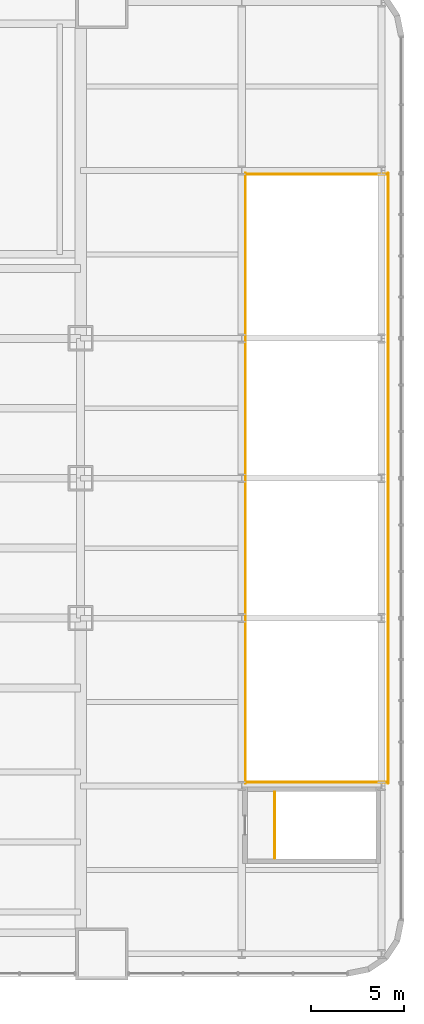
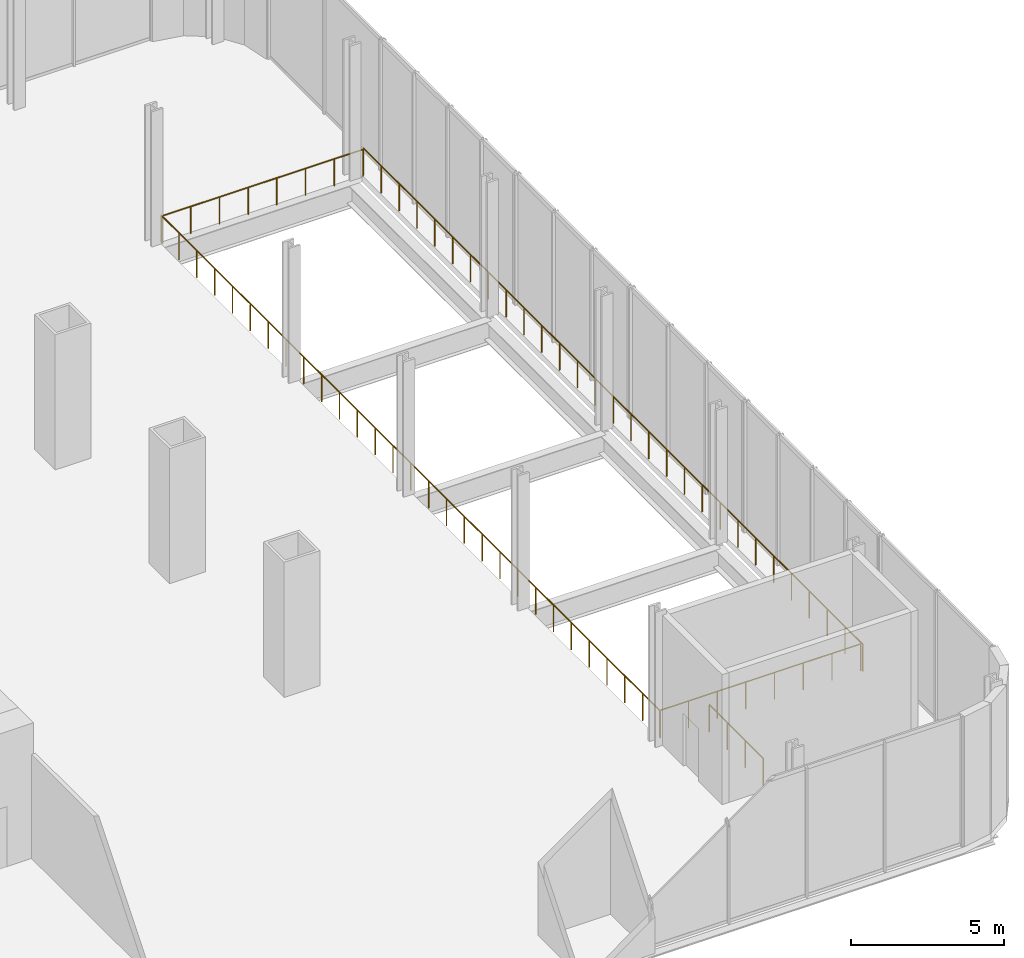
# One storey, part 17 of 17: 5 railings.
"""IFC4 building model written with IfcOpenShell, lengths in metres."""

from ifc_helpers import new_model, si_unit, direction, frame, origin, origin_2d, place, context, subcontext, project, spatial, circle, extrude, material, type_object, element, save


model = new_model("IFC4")

# Units and contexts
model_context = context("Model", 3, precision=1e-05, world=origin(), true_north=direction((0.0, 1.0)))
body_context = subcontext(model_context, "Body", "Model", "MODEL_VIEW")
ifc_project = project(units=[si_unit("LENGTHUNIT", "METRE"), si_unit("AREAUNIT", "SQUARE_METRE"), si_unit("VOLUMEUNIT", "CUBIC_METRE"), si_unit("PLANEANGLEUNIT", "RADIAN"), si_unit("MASSUNIT", "GRAM", prefix="KILO")], contexts=[model_context])

# Site, building, storey
site_placement = place(None, origin())
site = spatial("IfcSite", under=ifc_project, at=site_placement, CompositionType="ELEMENT")
building_placement = place(site_placement, origin())
building = spatial("IfcBuilding", under=site, at=building_placement, Name="Tarangal Relay Tower", CompositionType="ELEMENT")
storey_placement = place(building_placement, frame((0.0, 0.0, 18.0)))
storey = spatial("IfcBuildingStorey", under=building, at=storey_placement, Name="L03", CompositionType="ELEMENT", Elevation=18.0)

# Railings
ifc_material_1 = material(Name="Black steel guard with glass infill", Category="steel")
railing_type_1 = type_object("IfcRailingType", Name="Atrium guard 1100", PredefinedType="GUARDRAIL", material=ifc_material_1)
railing_1_placement = place(storey_placement, frame((40.85009765625, -16.35009765625, 0.0)))
element("IfcRailing", 1, at=railing_1_placement, inside=storey, type_object=railing_type_1, Name="Atrium guard GR3 L03", PredefinedType="GUARDRAIL", context=body_context, shape_type="SweptSolid", body=[
    extrude(circle(Radius=0.02392578125, at=origin_2d()), frame((0.0, 0.0, 1.076171875), z_axis=(0.0, 1.0, 0.0), x_axis=(-1.0, 0.0, 0.0)), (0.0, 0.0, 1.0), 32.7001953125),
    extrude(circle(Radius=0.02099609375, at=origin_2d()), origin(), (0.0, 0.0, 1.0), 1.052001953125),
    extrude(circle(Radius=0.02099609375, at=origin_2d()), frame((0.0, 1.16796875, 0.0)), (0.0, 0.0, 1.0), 1.052001953125),
    extrude(circle(Radius=0.02099609375, at=origin_2d()), frame((0.0, 2.335693359375, 0.0)), (0.0, 0.0, 1.0), 1.052001953125),
    extrude(circle(Radius=0.02099609375, at=origin_2d()), frame((0.0, 3.503662109375, 0.0)), (0.0, 0.0, 1.0), 1.052001953125),
    extrude(circle(Radius=0.02099609375, at=origin_2d()), frame((0.0, 4.67138671875, 0.0)), (0.0, 0.0, 1.0), 1.052001953125),
    extrude(circle(Radius=0.02099609375, at=origin_2d()), frame((0.0, 5.83935546875, 0.0)), (0.0, 0.0, 1.0), 1.052001953125),
    extrude(circle(Radius=0.02099609375, at=origin_2d()), frame((0.0, 7.007080078125, 0.0)), (0.0, 0.0, 1.0), 1.052001953125),
    extrude(circle(Radius=0.02099609375, at=origin_2d()), frame((0.0, 8.175048828125, 0.0)), (0.0, 0.0, 1.0), 1.052001953125),
    extrude(circle(Radius=0.02099609375, at=origin_2d()), frame((0.0, 9.343017578125, 0.0)), (0.0, 0.0, 1.0), 1.052001953125),
    extrude(circle(Radius=0.02099609375, at=origin_2d()), frame((0.0, 10.5107421875, 0.0)), (0.0, 0.0, 1.0), 1.052001953125),
    extrude(circle(Radius=0.02099609375, at=origin_2d()), frame((0.0, 11.6787109375, 0.0)), (0.0, 0.0, 1.0), 1.052001953125),
    extrude(circle(Radius=0.02099609375, at=origin_2d()), frame((0.0, 12.846435546875, 0.0)), (0.0, 0.0, 1.0), 1.052001953125),
    extrude(circle(Radius=0.02099609375, at=origin_2d()), frame((0.0, 14.014404296875, 0.0)), (0.0, 0.0, 1.0), 1.052001953125),
    extrude(circle(Radius=0.02099609375, at=origin_2d()), frame((0.0, 15.18212890625, 0.0)), (0.0, 0.0, 1.0), 1.052001953125),
    extrude(circle(Radius=0.02099609375, at=origin_2d()), frame((0.0, 16.35009765625, 0.0)), (0.0, 0.0, 1.0), 1.052001953125),
    extrude(circle(Radius=0.02099609375, at=origin_2d()), frame((0.0, 17.51806640625, 0.0)), (0.0, 0.0, 1.0), 1.052001953125),
    extrude(circle(Radius=0.02099609375, at=origin_2d()), frame((0.0, 18.685791015625, 0.0)), (0.0, 0.0, 1.0), 1.052001953125),
    extrude(circle(Radius=0.02099609375, at=origin_2d()), frame((0.0, 19.853759765625, 0.0)), (0.0, 0.0, 1.0), 1.052001953125),
    extrude(circle(Radius=0.02099609375, at=origin_2d()), frame((0.0, 21.021484375, 0.0)), (0.0, 0.0, 1.0), 1.052001953125),
    extrude(circle(Radius=0.02099609375, at=origin_2d()), frame((0.0, 22.189453125, 0.0)), (0.0, 0.0, 1.0), 1.052001953125),
    extrude(circle(Radius=0.02099609375, at=origin_2d()), frame((0.0, 23.357177734375, 0.0)), (0.0, 0.0, 1.0), 1.052001953125),
    extrude(circle(Radius=0.02099609375, at=origin_2d()), frame((0.0, 24.525146484375, 0.0)), (0.0, 0.0, 1.0), 1.052001953125),
    extrude(circle(Radius=0.02099609375, at=origin_2d()), frame((0.0, 25.693115234375, 0.0)), (0.0, 0.0, 1.0), 1.052001953125),
    extrude(circle(Radius=0.02099609375, at=origin_2d()), frame((0.0, 26.86083984375, 0.0)), (0.0, 0.0, 1.0), 1.052001953125),
    extrude(circle(Radius=0.02099609375, at=origin_2d()), frame((0.0, 28.02880859375, 0.0)), (0.0, 0.0, 1.0), 1.052001953125),
    extrude(circle(Radius=0.02099609375, at=origin_2d()), frame((0.0, 29.196533203125, 0.0)), (0.0, 0.0, 1.0), 1.052001953125),
    extrude(circle(Radius=0.02099609375, at=origin_2d()), frame((0.0, 30.364501953125, 0.0)), (0.0, 0.0, 1.0), 1.052001953125),
    extrude(circle(Radius=0.02099609375, at=origin_2d()), frame((0.0, 31.5322265625, 0.0)), (0.0, 0.0, 1.0), 1.052001953125),
    extrude(circle(Radius=0.02099609375, at=origin_2d()), frame((0.0, 32.7001953125, 0.0)), (0.0, 0.0, 1.0), 1.052001953125),
])
railing_2_placement = place(storey_placement, frame((33.199951171875, -16.35009765625, 0.0)))
element("IfcRailing", 2, at=railing_2_placement, inside=storey, type_object=railing_type_1, Name="Atrium guard GR3 L03", PredefinedType="GUARDRAIL", context=body_context, shape_type="SweptSolid", body=[
    extrude(circle(Radius=0.02392578125, at=origin_2d()), frame((0.0, 0.0, 1.076171875), z_axis=(0.0, 1.0, 0.0), x_axis=(-1.0, 0.0, 0.0)), (0.0, 0.0, 1.0), 32.7001953125),
    extrude(circle(Radius=0.02099609375, at=origin_2d()), origin(), (0.0, 0.0, 1.0), 1.052001953125),
    extrude(circle(Radius=0.02099609375, at=origin_2d()), frame((0.0, 1.16796875, 0.0)), (0.0, 0.0, 1.0), 1.052001953125),
    extrude(circle(Radius=0.02099609375, at=origin_2d()), frame((0.0, 2.335693359375, 0.0)), (0.0, 0.0, 1.0), 1.052001953125),
    extrude(circle(Radius=0.02099609375, at=origin_2d()), frame((0.0, 3.503662109375, 0.0)), (0.0, 0.0, 1.0), 1.052001953125),
    extrude(circle(Radius=0.02099609375, at=origin_2d()), frame((0.0, 4.67138671875, 0.0)), (0.0, 0.0, 1.0), 1.052001953125),
    extrude(circle(Radius=0.02099609375, at=origin_2d()), frame((0.0, 5.83935546875, 0.0)), (0.0, 0.0, 1.0), 1.052001953125),
    extrude(circle(Radius=0.02099609375, at=origin_2d()), frame((0.0, 7.007080078125, 0.0)), (0.0, 0.0, 1.0), 1.052001953125),
    extrude(circle(Radius=0.02099609375, at=origin_2d()), frame((0.0, 8.175048828125, 0.0)), (0.0, 0.0, 1.0), 1.052001953125),
    extrude(circle(Radius=0.02099609375, at=origin_2d()), frame((0.0, 9.343017578125, 0.0)), (0.0, 0.0, 1.0), 1.052001953125),
    extrude(circle(Radius=0.02099609375, at=origin_2d()), frame((0.0, 10.5107421875, 0.0)), (0.0, 0.0, 1.0), 1.052001953125),
    extrude(circle(Radius=0.02099609375, at=origin_2d()), frame((0.0, 11.6787109375, 0.0)), (0.0, 0.0, 1.0), 1.052001953125),
    extrude(circle(Radius=0.02099609375, at=origin_2d()), frame((0.0, 12.846435546875, 0.0)), (0.0, 0.0, 1.0), 1.052001953125),
    extrude(circle(Radius=0.02099609375, at=origin_2d()), frame((0.0, 14.014404296875, 0.0)), (0.0, 0.0, 1.0), 1.052001953125),
    extrude(circle(Radius=0.02099609375, at=origin_2d()), frame((0.0, 15.18212890625, 0.0)), (0.0, 0.0, 1.0), 1.052001953125),
    extrude(circle(Radius=0.02099609375, at=origin_2d()), frame((0.0, 16.35009765625, 0.0)), (0.0, 0.0, 1.0), 1.052001953125),
    extrude(circle(Radius=0.02099609375, at=origin_2d()), frame((0.0, 17.51806640625, 0.0)), (0.0, 0.0, 1.0), 1.052001953125),
    extrude(circle(Radius=0.02099609375, at=origin_2d()), frame((0.0, 18.685791015625, 0.0)), (0.0, 0.0, 1.0), 1.052001953125),
    extrude(circle(Radius=0.02099609375, at=origin_2d()), frame((0.0, 19.853759765625, 0.0)), (0.0, 0.0, 1.0), 1.052001953125),
    extrude(circle(Radius=0.02099609375, at=origin_2d()), frame((0.0, 21.021484375, 0.0)), (0.0, 0.0, 1.0), 1.052001953125),
    extrude(circle(Radius=0.02099609375, at=origin_2d()), frame((0.0, 22.189453125, 0.0)), (0.0, 0.0, 1.0), 1.052001953125),
    extrude(circle(Radius=0.02099609375, at=origin_2d()), frame((0.0, 23.357177734375, 0.0)), (0.0, 0.0, 1.0), 1.052001953125),
    extrude(circle(Radius=0.02099609375, at=origin_2d()), frame((0.0, 24.525146484375, 0.0)), (0.0, 0.0, 1.0), 1.052001953125),
    extrude(circle(Radius=0.02099609375, at=origin_2d()), frame((0.0, 25.693115234375, 0.0)), (0.0, 0.0, 1.0), 1.052001953125),
    extrude(circle(Radius=0.02099609375, at=origin_2d()), frame((0.0, 26.86083984375, 0.0)), (0.0, 0.0, 1.0), 1.052001953125),
    extrude(circle(Radius=0.02099609375, at=origin_2d()), frame((0.0, 28.02880859375, 0.0)), (0.0, 0.0, 1.0), 1.052001953125),
    extrude(circle(Radius=0.02099609375, at=origin_2d()), frame((0.0, 29.196533203125, 0.0)), (0.0, 0.0, 1.0), 1.052001953125),
    extrude(circle(Radius=0.02099609375, at=origin_2d()), frame((0.0, 30.364501953125, 0.0)), (0.0, 0.0, 1.0), 1.052001953125),
    extrude(circle(Radius=0.02099609375, at=origin_2d()), frame((0.0, 31.5322265625, 0.0)), (0.0, 0.0, 1.0), 1.052001953125),
    extrude(circle(Radius=0.02099609375, at=origin_2d()), frame((0.0, 32.7001953125, 0.0)), (0.0, 0.0, 1.0), 1.052001953125),
])
for number, where, name in (
    (3, (33.199951171875, 16.300048828125, 0.0), "Atrium guard GR3 L03"),
    (4, (33.199951171875, -16.300048828125, 0.0), "Atrium guard GR3 L03"),
):
    element("IfcRailing", number, at=place(storey_placement, frame(where)), inside=storey, type_object=railing_type_1, Name=name, PredefinedType="GUARDRAIL", context=body_context, shape_type="SweptSolid", body=[
        extrude(circle(Radius=0.02392578125, at=origin_2d()), frame((0.0, 0.0, 1.076171875), z_axis=(1.0, 0.0, 0.0), x_axis=(0.0, 1.0, 0.0)), (0.0, 0.0, 1.0), 7.60009765625),
        extrude(circle(Radius=0.02099609375, at=origin_2d()), origin(), (0.0, 0.0, 1.0), 1.052001953125),
        extrude(circle(Radius=0.02099609375, at=origin_2d()), frame((1.085693359375, 0.0, 0.0)), (0.0, 0.0, 1.0), 1.052001953125),
        extrude(circle(Radius=0.02099609375, at=origin_2d()), frame((2.17138671875, 0.0, 0.0)), (0.0, 0.0, 1.0), 1.052001953125),
        extrude(circle(Radius=0.02099609375, at=origin_2d()), frame((3.257080078125, 0.0, 0.0)), (0.0, 0.0, 1.0), 1.052001953125),
        extrude(circle(Radius=0.02099609375, at=origin_2d()), frame((4.343017578125, 0.0, 0.0)), (0.0, 0.0, 1.0), 1.052001953125),
        extrude(circle(Radius=0.02099609375, at=origin_2d()), frame((5.4287109375, 0.0, 0.0)), (0.0, 0.0, 1.0), 1.052001953125),
        extrude(circle(Radius=0.02099609375, at=origin_2d()), frame((6.514404296875, 0.0, 0.0)), (0.0, 0.0, 1.0), 1.052001953125),
        extrude(circle(Radius=0.02099609375, at=origin_2d()), frame((7.60009765625, 0.0, 0.0)), (0.0, 0.0, 1.0), 1.052001953125),
    ])
ifc_material_2 = material(Name="Steel guard, black finish", Category="steel")
railing_type_2 = type_object("IfcRailingType", Name="Stair guard 1100", PredefinedType="GUARDRAIL", material=ifc_material_2)
railing_3_placement = place(storey_placement, frame((34.77001953125, -20.3701171875, 0.0)))
element("IfcRailing", 5, at=railing_3_placement, inside=storey, type_object=railing_type_2, Name="Stair ST-E top guard GR1 L03", PredefinedType="GUARDRAIL", context=body_context, shape_type="SweptSolid", body=[
    extrude(circle(Radius=0.02392578125, at=origin_2d()), frame((0.0, 0.0, 1.076171875), z_axis=(0.0, 1.0, 0.0), x_axis=(-1.0, 0.0, 0.0)), (0.0, 0.0, 1.0), 3.5400390625),
    extrude(circle(Radius=0.02099609375, at=origin_2d()), origin(), (0.0, 0.0, 1.0), 1.052001953125),
    extrude(circle(Radius=0.02099609375, at=origin_2d()), frame((0.0, 1.179931640625, 0.0)), (0.0, 0.0, 1.0), 1.052001953125),
    extrude(circle(Radius=0.02099609375, at=origin_2d()), frame((0.0, 2.360107421875, 0.0)), (0.0, 0.0, 1.0), 1.052001953125),
    extrude(circle(Radius=0.02099609375, at=origin_2d()), frame((0.0, 3.5400390625, 0.0)), (0.0, 0.0, 1.0), 1.052001953125),
])

save(model, "model.ifc")
